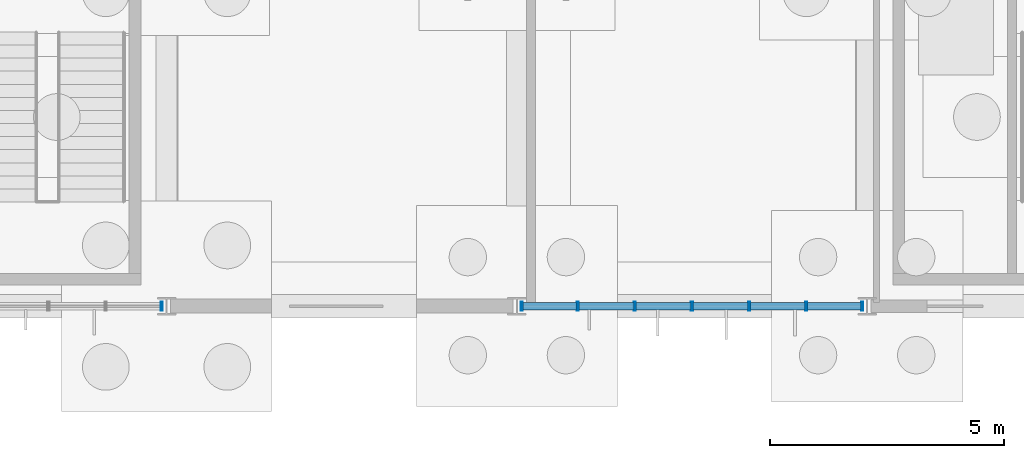
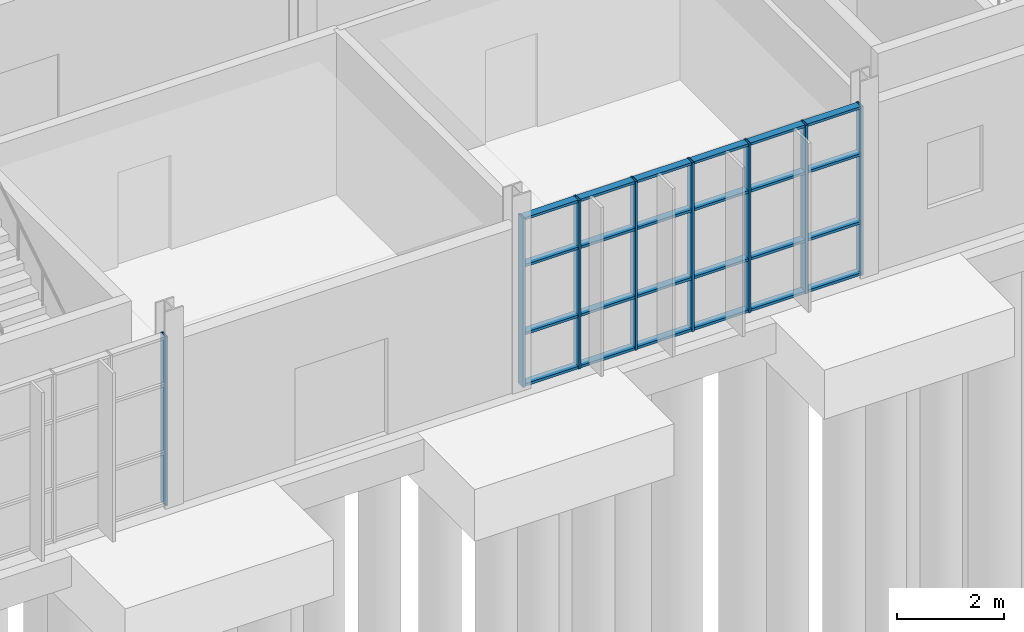
# One storey, part 29 of 136: 32 members, 2 elements without a shape of their own.
"""IFC4 building model written with IfcOpenShell, lengths in metres."""

import ifcopenshell
import ifcopenshell.guid

model = None  # the IFC model being written
_history = None  # IfcOwnerHistory: only IFC2X3 demands one
_inside = {}  # id of a spatial element -> (the spatial element, [elements in it])
_under = {}  # id of a project, library or spatial element -> (it, [spatial elements below it])
_declared = {}  # id of a project -> (the project, [libraries it declares])
_typed = {}  # id of a type object -> (the type object, [elements of that type])
_made_of = {}  # id of a material, layer set ... -> (it, [elements and type objects made of it])


def new_model(schema):
    """Start an empty IFC model of exactly this schema.

    Asked for "IFC4X3", IfcOpenShell would pick the latest addendum, in which some entities
    have other attributes; the version numbers below select the first issue.
    IFC2X3 requires an IfcOwnerHistory on every rooted entity: one is made here for all.
    """
    global model, _history
    if schema == "IFC4X3":
        model = ifcopenshell.file(schema_version=(4, 3, 0, 0))
    else:
        model = ifcopenshell.file(schema=schema)
    _inside.clear()
    _under.clear()
    _declared.clear()
    _typed.clear()
    _made_of.clear()
    _history = None
    if model.schema == "IFC2X3":
        org = make("IfcOrganization", Name="unknown")
        user = make(
            "IfcPersonAndOrganization",
            ThePerson=make("IfcPerson", FamilyName="unknown"),
            TheOrganization=org,
        )
        app = make(
            "IfcApplication",
            ApplicationDeveloper=org,
            Version="unknown",
            ApplicationFullName="unknown",
            ApplicationIdentifier="unknown",
        )
        _history = make(
            "IfcOwnerHistory",
            OwningUser=user,
            OwningApplication=app,
            ChangeAction="ADDED",
            CreationDate=0,
        )
    return model


def make(cls, **values):
    """One entity of the class cls with the attributes given. An attribute that is None is left unset."""
    return model.create_entity(
        cls, **{name: value for name, value in values.items() if value is not None}
    )


def rooted(cls, **values):
    """An entity with a GlobalId (a new one), such as an element, a storey or a relation."""
    return make(cls, GlobalId=ifcopenshell.guid.new(), OwnerHistory=_history, **values)


def si_unit(unit_type, name, prefix=None):
    """IfcSIUnit, for example si_unit("LENGTHUNIT", "METRE", prefix="MILLI")."""
    return make("IfcSIUnit", UnitType=unit_type, Prefix=prefix, Name=name)


def assignment(units):
    """IfcUnitAssignment: the units of a project."""
    return None if units is None else make("IfcUnitAssignment", Units=units)


def point(xyz):
    """IfcCartesianPoint."""
    return None if xyz is None else make("IfcCartesianPoint", Coordinates=xyz)


def direction(xyz):
    """IfcDirection."""
    return None if xyz is None else make("IfcDirection", DirectionRatios=xyz)


def frame(location, z_axis=None, x_axis=None):
    """IfcAxis2Placement3D, a coordinate frame: its origin and axes. An axis left out is left unset."""
    return make(
        "IfcAxis2Placement3D",
        Location=point(location),
        Axis=direction(z_axis),
        RefDirection=direction(x_axis),
    )


def frame_2d(location, x_axis=None):
    """IfcAxis2Placement2D, a coordinate frame in the plane: its origin and x axis."""
    return make(
        "IfcAxis2Placement2D", Location=point(location), RefDirection=direction(x_axis)
    )


def origin():
    """The frame at (0, 0, 0) with its axes left unset."""
    return frame((0.0, 0.0, 0.0))


def origin_2d():
    """The frame at (0, 0) in the plane with its x axis left unset."""
    return frame_2d((0.0, 0.0))


def place(relative_to, where):
    """IfcLocalPlacement: puts the frame where relative to a parent placement (None: the world)."""
    return make(
        "IfcLocalPlacement", PlacementRelTo=relative_to, RelativePlacement=where
    )


def context(
    kind, dimensions, precision=None, world=None, true_north=None, identifier=None
):
    """IfcGeometricRepresentationContext, for example the 3D "Model" context."""
    return make(
        "IfcGeometricRepresentationContext",
        ContextIdentifier=identifier,
        ContextType=kind,
        CoordinateSpaceDimension=dimensions,
        Precision=precision,
        WorldCoordinateSystem=world,
        TrueNorth=true_north,
    )


def subcontext(parent, identifier, kind, view, scale=None):
    """IfcGeometricRepresentationSubContext, for example "Body" below "Model"."""
    return make(
        "IfcGeometricRepresentationSubContext",
        ContextIdentifier=identifier,
        ContextType=kind,
        ParentContext=parent,
        TargetScale=scale,
        TargetView=view,
    )


def project(units=None, contexts=None):
    """IfcProject with its units and contexts."""
    return rooted(
        "IfcProject",
        Name="project",
        RepresentationContexts=contexts,
        UnitsInContext=assignment(units),
    )


def spatial(cls, under=None, at=None, **own):
    """A site, building, storey or space (cls), placed at a placement, below another one or the project."""
    s = rooted(cls, ObjectPlacement=at, **own)
    if under is not None:
        _under.setdefault(under.id(), (under, []))[1].append(s)
    return s


def profile(cls, at=None, kind="AREA", **sizes):
    """A parametric profile (cls). Its sizes go by their IFC names, for example OverallWidth=200.0."""
    return make(cls, ProfileType=kind, Position=at, **sizes)


def hollow_rectangle(**sizes):
    """IfcRectangleHollowProfileDef."""
    return profile("IfcRectangleHollowProfileDef", **sizes)


def extrude(swept, where, along, depth):
    """IfcExtrudedAreaSolid: the profile swept, set in the frame where, extruded along a direction by depth."""
    return make(
        "IfcExtrudedAreaSolid",
        SweptArea=swept,
        Position=where,
        ExtrudedDirection=direction(along),
        Depth=depth,
    )


def shape(context_of_items, identifier, shape_type, items):
    """IfcShapeRepresentation: the items that make up one representation, for example the "Body"."""
    return make(
        "IfcShapeRepresentation",
        ContextOfItems=context_of_items,
        RepresentationIdentifier=identifier,
        RepresentationType=shape_type,
        Items=items,
    )


def material(Name=None, Category=None):
    """IfcMaterial."""
    return make("IfcMaterial", Name=Name, Category=Category)


def layer(
    of_material, thickness, ventilated=None, Name=None, Category=None, Priority=None
):
    """IfcMaterialLayer: one layer of a wall or slab, of a material (None: an air gap)."""
    return make(
        "IfcMaterialLayer",
        Material=of_material,
        LayerThickness=thickness,
        IsVentilated=ventilated,
        Name=Name,
        Category=Category,
        Priority=Priority,
    )


def layer_set(layers, Name=None):
    """IfcMaterialLayerSet."""
    return make("IfcMaterialLayerSet", MaterialLayers=layers, LayerSetName=Name)


def material_profile(
    of_material, cross_section, Name=None, Category=None, Priority=None
):
    """IfcMaterialProfile: a cross section and its material."""
    return make(
        "IfcMaterialProfile",
        Name=Name,
        Material=of_material,
        Profile=cross_section,
        Priority=Priority,
        Category=Category,
    )


def profile_set(profiles, Name=None, composite=None):
    """IfcMaterialProfileSet."""
    return make(
        "IfcMaterialProfileSet",
        Name=Name,
        MaterialProfiles=profiles,
        CompositeProfile=composite,
    )


def made_of(thing, what):
    """Note that an element or type object is made of a material, layer set ...; save() writes the relation."""
    if what is not None:
        _made_of.setdefault(what.id(), (what, []))[1].append(thing)
    return thing


def type_object(cls, material=None, **own):
    """A type object (cls), such as IfcWallType, which elements share."""
    return made_of(rooted(cls, **own), material)


def element(
    cls,
    number,
    at=None,
    inside=None,
    cuts=None,
    type_object=None,
    material=None,
    context=None,
    identifier="Body",
    shape_type=None,
    held_by="IfcProductDefinitionShape",
    body=None,
    shapes=None,
    **own,
):
    """One element of the class cls, such as IfcWall. Its Tag is "e" and its number.

    at: its placement. inside: the storey or other place that contains it. cuts: it is an
    opening in that element (IfcRelVoidsElement). A single representation is given by context,
    identifier, shape_type and body (its items); several are given by shapes. held_by: the class
    of the entity that holds the representations. save() writes the other relations.
    """
    e = rooted(cls, Tag="e%d" % number, ObjectPlacement=at, **own)
    if body is not None:
        shapes = [shape(context, identifier, shape_type, body)]
    if shapes is not None:
        e.Representation = make(held_by, Representations=shapes)
    if inside is not None:
        _inside.setdefault(inside.id(), (inside, []))[1].append(e)
    if cuts is not None:
        rooted(
            "IfcRelVoidsElement", RelatingBuildingElement=cuts, RelatedOpeningElement=e
        )
    if type_object is not None:
        _typed.setdefault(type_object.id(), (type_object, []))[1].append(e)
    return made_of(e, material)


def aggregate(whole, parts):
    """IfcRelAggregates: a whole, such as a stair, and the parts it consists of."""
    return rooted("IfcRelAggregates", RelatingObject=whole, RelatedObjects=parts)


def save(model, path):
    """Write the relations noted so far, then the file.

    IfcRelAggregates (storeys below a building ...), IfcRelContainedInSpatialStructure (elements
    in a storey), IfcRelDefinesByType, IfcRelAssociatesMaterial and IfcRelDeclares: one each for
    every whole, place, type object, material and project.
    """
    for whole, parts in _under.values():
        aggregate(whole, parts)
    for where, things in _inside.values():
        rooted(
            "IfcRelContainedInSpatialStructure",
            RelatedElements=things,
            RelatingStructure=where,
        )
    for kind, things in _typed.values():
        rooted("IfcRelDefinesByType", RelatedObjects=things, RelatingType=kind)
    for what, things in _made_of.values():
        rooted("IfcRelAssociatesMaterial", RelatedObjects=things, RelatingMaterial=what)
    for by, libraries in _declared.values():
        rooted("IfcRelDeclares", RelatingContext=by, RelatedDefinitions=libraries)
    model.write(path)


model = new_model("IFC4")

# Units and contexts
model_context = context("Model", 3, precision=1e-05, world=origin(), true_north=direction((0.0, 1.0)))
body_context = subcontext(model_context, "Body", "Model", "MODEL_VIEW")
ifc_project = project(units=[si_unit("LENGTHUNIT", "METRE"), si_unit("AREAUNIT", "SQUARE_METRE"), si_unit("VOLUMEUNIT", "CUBIC_METRE"), si_unit("PLANEANGLEUNIT", "RADIAN"), si_unit("MASSUNIT", "GRAM", prefix="KILO")], contexts=[model_context])

# Site, building, storey
site_placement = place(None, origin())
site = spatial("IfcSite", under=ifc_project, at=site_placement, CompositionType="ELEMENT")
building_placement = place(site_placement, origin())
building = spatial("IfcBuilding", under=site, at=building_placement, Name="Solvenia Promenade Tram Depot", CompositionType="ELEMENT")
storey_placement = place(building_placement, origin())
storey = spatial("IfcBuildingStorey", under=building, at=storey_placement, Name="L00", CompositionType="ELEMENT", Elevation=0.0)

# Curtain wall, member
ifc_material = material(Name="Anodized aluminium AW-6063 T6", Category="aluminium")
ifc_layer = layer(ifc_material, 0.179931640625, Name="Anodized aluminium AW-6063 T6", Category="aluminium")
ifc_layer_set = layer_set([ifc_layer], Name="Anodized aluminium AW-6063 T6")
curtain_wall_type = type_object("IfcCurtainWallType", Name="CW-Solar-1250", PredefinedType="NOTDEFINED", material=ifc_layer_set)
curtain_wall_1_placement = place(storey_placement, origin())
curtain_wall_1 = element("IfcCurtainWall", 1, at=curtain_wall_1_placement, inside=storey, type_object=curtain_wall_type, Name="Curtain Wall CW-V4S-L00-01", PredefinedType="NOTDEFINED")
ifc_material_profile_1 = material_profile(ifc_material, hollow_rectangle(XDim=0.199951171875, YDim=0.048095703125, WallThickness=0.00390625, at=origin_2d()), Name="ALU-M3", Category="aluminium")
ifc_profile_set_1 = profile_set([ifc_material_profile_1], Name="Anodized aluminium AW-6063 T6")
member_type_1 = type_object("IfcMemberType", Name="CWM-Mullion-3", PredefinedType="MULLION", material=ifc_profile_set_1)
member_1_placement = place(storey_placement, frame((14.89599609375, 0.0, 0.0), z_axis=(0.0, 0.0, 1.0), x_axis=(0.0, 1.0, 0.0)))
member_1 = element("IfcMember", 2, at=member_1_placement, type_object=member_type_1, Name="CW-6 mullion 7", PredefinedType="MULLION", context=body_context, shape_type="SweptSolid", body=[
    extrude(hollow_rectangle(XDim=0.199951171875, YDim=0.048095703125, WallThickness=0.00390625, at=origin_2d()), origin(), (0.0, 0.0, 1.0), 3.85009765625),
])
aggregate(curtain_wall_1, [member_1])

# Curtain wall, members
curtain_wall_2_placement = place(storey_placement, origin())
curtain_wall_2 = element("IfcCurtainWall", 3, at=curtain_wall_2_placement, inside=storey, type_object=curtain_wall_type, Name="Curtain Wall CW-V4S-L00-03", PredefinedType="NOTDEFINED")
member_2_placement = place(storey_placement, frame((22.60400390625, 0.0, 0.0), z_axis=(0.0, 0.0, 1.0), x_axis=(0.0, 1.0, 0.0)))
member_2 = element("IfcMember", 4, at=member_2_placement, type_object=member_type_1, Name="CW-6 mullion 1", PredefinedType="MULLION", context=body_context, shape_type="SweptSolid", body=[
    extrude(hollow_rectangle(XDim=0.199951171875, YDim=0.048095703125, WallThickness=0.00390625, at=origin_2d()), origin(), (0.0, 0.0, 1.0), 3.85009765625),
])
member_3_placement = place(storey_placement, frame((23.80322265625, 0.0, 0.0), z_axis=(0.0, 0.0, 1.0), x_axis=(0.0, 1.0, 0.0)))
member_3 = element("IfcMember", 5, at=member_3_placement, type_object=member_type_1, Name="CW-6 mullion 2", PredefinedType="MULLION", context=body_context, shape_type="SweptSolid", body=[
    extrude(hollow_rectangle(XDim=0.199951171875, YDim=0.048095703125, WallThickness=0.00390625, at=origin_2d()), origin(), (0.0, 0.0, 1.0), 3.85009765625),
])
member_4_placement = place(storey_placement, frame((25.026611328125, 0.0, 0.0), z_axis=(0.0, 0.0, 1.0), x_axis=(0.0, 1.0, 0.0)))
member_4 = element("IfcMember", 6, at=member_4_placement, type_object=member_type_1, Name="CW-6 mullion 3", PredefinedType="MULLION", context=body_context, shape_type="SweptSolid", body=[
    extrude(hollow_rectangle(XDim=0.199951171875, YDim=0.048095703125, WallThickness=0.00390625, at=origin_2d()), origin(), (0.0, 0.0, 1.0), 3.85009765625),
])
member_5_placement = place(storey_placement, frame((26.25, 0.0, 0.0), z_axis=(0.0, 0.0, 1.0), x_axis=(0.0, 1.0, 0.0)))
member_5 = element("IfcMember", 7, at=member_5_placement, type_object=member_type_1, Name="CW-6 mullion 4", PredefinedType="MULLION", context=body_context, shape_type="SweptSolid", body=[
    extrude(hollow_rectangle(XDim=0.199951171875, YDim=0.048095703125, WallThickness=0.00390625, at=origin_2d()), origin(), (0.0, 0.0, 1.0), 3.85009765625),
])
member_6_placement = place(storey_placement, frame((27.473388671875, 0.0, 0.0), z_axis=(0.0, 0.0, 1.0), x_axis=(0.0, 1.0, 0.0)))
member_6 = element("IfcMember", 8, at=member_6_placement, type_object=member_type_1, Name="CW-6 mullion 5", PredefinedType="MULLION", context=body_context, shape_type="SweptSolid", body=[
    extrude(hollow_rectangle(XDim=0.199951171875, YDim=0.048095703125, WallThickness=0.00390625, at=origin_2d()), origin(), (0.0, 0.0, 1.0), 3.85009765625),
])
member_7_placement = place(storey_placement, frame((28.69677734375, 0.0, 0.0), z_axis=(0.0, 0.0, 1.0), x_axis=(0.0, 1.0, 0.0)))
member_7 = element("IfcMember", 9, at=member_7_placement, type_object=member_type_1, Name="CW-6 mullion 6", PredefinedType="MULLION", context=body_context, shape_type="SweptSolid", body=[
    extrude(hollow_rectangle(XDim=0.199951171875, YDim=0.048095703125, WallThickness=0.00390625, at=origin_2d()), origin(), (0.0, 0.0, 1.0), 3.85009765625),
])
member_8_placement = place(storey_placement, frame((29.89599609375, 0.0, 0.0), z_axis=(0.0, 0.0, 1.0), x_axis=(0.0, 1.0, 0.0)))
member_8 = element("IfcMember", 10, at=member_8_placement, type_object=member_type_1, Name="CW-6 mullion 7", PredefinedType="MULLION", context=body_context, shape_type="SweptSolid", body=[
    extrude(hollow_rectangle(XDim=0.199951171875, YDim=0.048095703125, WallThickness=0.00390625, at=origin_2d()), origin(), (0.0, 0.0, 1.0), 3.85009765625),
])
ifc_material_profile_2 = material_profile(ifc_material, hollow_rectangle(XDim=0.159912109375, YDim=0.05810546875, WallThickness=0.00390625, at=origin_2d()), Name="ALU-T3", Category="aluminium")
ifc_profile_set_2 = profile_set([ifc_material_profile_2], Name="Anodized aluminium AW-6063 T6")
member_type_2 = type_object("IfcMemberType", Name="CWT-Transom-3", PredefinedType="USERDEFINED", material=ifc_profile_set_2)
member_9_placement = place(storey_placement, frame((22.6279296875, 0.0, 0.029052734375), z_axis=(1.0, 0.0, 0.0), x_axis=(0.0, 1.0, 0.0)))
member_9 = element("IfcMember", 11, at=member_9_placement, type_object=member_type_2, Name="CW-6 transom 1.1", ObjectType="TRANSOM", PredefinedType="USERDEFINED", context=body_context, shape_type="SweptSolid", body=[
    extrude(hollow_rectangle(XDim=0.159912109375, YDim=0.05810546875, WallThickness=0.00390625, at=origin_2d()), origin(), (0.0, 0.0, 1.0), 1.1513671875),
])
member_10_placement = place(storey_placement, frame((22.6279296875, 0.0, 1.199951171875), z_axis=(1.0, 0.0, 0.0), x_axis=(0.0, 1.0, 0.0)))
member_10 = element("IfcMember", 12, at=member_10_placement, type_object=member_type_2, Name="CW-6 transom 1.2", ObjectType="TRANSOM", PredefinedType="USERDEFINED", context=body_context, shape_type="SweptSolid", body=[
    extrude(hollow_rectangle(XDim=0.159912109375, YDim=0.05810546875, WallThickness=0.00390625, at=origin_2d()), origin(), (0.0, 0.0, 1.0), 1.1513671875),
])
member_11_placement = place(storey_placement, frame((22.6279296875, 0.0, 2.75), z_axis=(1.0, 0.0, 0.0), x_axis=(0.0, 1.0, 0.0)))
member_11 = element("IfcMember", 13, at=member_11_placement, type_object=member_type_2, Name="CW-6 transom 1.3", ObjectType="TRANSOM", PredefinedType="USERDEFINED", context=body_context, shape_type="SweptSolid", body=[
    extrude(hollow_rectangle(XDim=0.159912109375, YDim=0.05810546875, WallThickness=0.00390625, at=origin_2d()), origin(), (0.0, 0.0, 1.0), 1.1513671875),
])
member_12_placement = place(storey_placement, frame((22.6279296875, 0.0, 3.821044921875), z_axis=(1.0, 0.0, 0.0), x_axis=(0.0, 1.0, 0.0)))
member_12 = element("IfcMember", 14, at=member_12_placement, type_object=member_type_2, Name="CW-6 transom 1.4", ObjectType="TRANSOM", PredefinedType="USERDEFINED", context=body_context, shape_type="SweptSolid", body=[
    extrude(hollow_rectangle(XDim=0.159912109375, YDim=0.05810546875, WallThickness=0.00390625, at=origin_2d()), origin(), (0.0, 0.0, 1.0), 1.1513671875),
])
member_13_placement = place(storey_placement, frame((23.827392578125, 0.0, 0.029052734375), z_axis=(1.0, 0.0, 0.0), x_axis=(0.0, 1.0, 0.0)))
member_13 = element("IfcMember", 15, at=member_13_placement, type_object=member_type_2, Name="CW-6 transom 2.1", ObjectType="TRANSOM", PredefinedType="USERDEFINED", context=body_context, shape_type="SweptSolid", body=[
    extrude(hollow_rectangle(XDim=0.159912109375, YDim=0.05810546875, WallThickness=0.00390625, at=origin_2d()), origin(), (0.0, 0.0, 1.0), 1.17529296875),
])
member_14_placement = place(storey_placement, frame((23.827392578125, 0.0, 1.199951171875), z_axis=(1.0, 0.0, 0.0), x_axis=(0.0, 1.0, 0.0)))
member_14 = element("IfcMember", 16, at=member_14_placement, type_object=member_type_2, Name="CW-6 transom 2.2", ObjectType="TRANSOM", PredefinedType="USERDEFINED", context=body_context, shape_type="SweptSolid", body=[
    extrude(hollow_rectangle(XDim=0.159912109375, YDim=0.05810546875, WallThickness=0.00390625, at=origin_2d()), origin(), (0.0, 0.0, 1.0), 1.17529296875),
])
member_15_placement = place(storey_placement, frame((23.827392578125, 0.0, 2.75), z_axis=(1.0, 0.0, 0.0), x_axis=(0.0, 1.0, 0.0)))
member_15 = element("IfcMember", 17, at=member_15_placement, type_object=member_type_2, Name="CW-6 transom 2.3", ObjectType="TRANSOM", PredefinedType="USERDEFINED", context=body_context, shape_type="SweptSolid", body=[
    extrude(hollow_rectangle(XDim=0.159912109375, YDim=0.05810546875, WallThickness=0.00390625, at=origin_2d()), origin(), (0.0, 0.0, 1.0), 1.17529296875),
])
member_16_placement = place(storey_placement, frame((23.827392578125, 0.0, 3.821044921875), z_axis=(1.0, 0.0, 0.0), x_axis=(0.0, 1.0, 0.0)))
member_16 = element("IfcMember", 18, at=member_16_placement, type_object=member_type_2, Name="CW-6 transom 2.4", ObjectType="TRANSOM", PredefinedType="USERDEFINED", context=body_context, shape_type="SweptSolid", body=[
    extrude(hollow_rectangle(XDim=0.159912109375, YDim=0.05810546875, WallThickness=0.00390625, at=origin_2d()), origin(), (0.0, 0.0, 1.0), 1.17529296875),
])
member_17_placement = place(storey_placement, frame((25.05078125, 0.0, 0.029052734375), z_axis=(1.0, 0.0, 0.0), x_axis=(0.0, 1.0, 0.0)))
member_17 = element("IfcMember", 19, at=member_17_placement, type_object=member_type_2, Name="CW-6 transom 3.1", ObjectType="TRANSOM", PredefinedType="USERDEFINED", context=body_context, shape_type="SweptSolid", body=[
    extrude(hollow_rectangle(XDim=0.159912109375, YDim=0.05810546875, WallThickness=0.00390625, at=origin_2d()), origin(), (0.0, 0.0, 1.0), 1.17529296875),
])
member_18_placement = place(storey_placement, frame((25.05078125, 0.0, 1.199951171875), z_axis=(1.0, 0.0, 0.0), x_axis=(0.0, 1.0, 0.0)))
member_18 = element("IfcMember", 20, at=member_18_placement, type_object=member_type_2, Name="CW-6 transom 3.2", ObjectType="TRANSOM", PredefinedType="USERDEFINED", context=body_context, shape_type="SweptSolid", body=[
    extrude(hollow_rectangle(XDim=0.159912109375, YDim=0.05810546875, WallThickness=0.00390625, at=origin_2d()), origin(), (0.0, 0.0, 1.0), 1.17529296875),
])
member_19_placement = place(storey_placement, frame((25.05078125, 0.0, 2.75), z_axis=(1.0, 0.0, 0.0), x_axis=(0.0, 1.0, 0.0)))
member_19 = element("IfcMember", 21, at=member_19_placement, type_object=member_type_2, Name="CW-6 transom 3.3", ObjectType="TRANSOM", PredefinedType="USERDEFINED", context=body_context, shape_type="SweptSolid", body=[
    extrude(hollow_rectangle(XDim=0.159912109375, YDim=0.05810546875, WallThickness=0.00390625, at=origin_2d()), origin(), (0.0, 0.0, 1.0), 1.17529296875),
])
member_20_placement = place(storey_placement, frame((25.05078125, 0.0, 3.821044921875), z_axis=(1.0, 0.0, 0.0), x_axis=(0.0, 1.0, 0.0)))
member_20 = element("IfcMember", 22, at=member_20_placement, type_object=member_type_2, Name="CW-6 transom 3.4", ObjectType="TRANSOM", PredefinedType="USERDEFINED", context=body_context, shape_type="SweptSolid", body=[
    extrude(hollow_rectangle(XDim=0.159912109375, YDim=0.05810546875, WallThickness=0.00390625, at=origin_2d()), origin(), (0.0, 0.0, 1.0), 1.17529296875),
])
member_21_placement = place(storey_placement, frame((26.27392578125, 0.0, 0.029052734375), z_axis=(1.0, 0.0, 0.0), x_axis=(0.0, 1.0, 0.0)))
member_21 = element("IfcMember", 23, at=member_21_placement, type_object=member_type_2, Name="CW-6 transom 4.1", ObjectType="TRANSOM", PredefinedType="USERDEFINED", context=body_context, shape_type="SweptSolid", body=[
    extrude(hollow_rectangle(XDim=0.159912109375, YDim=0.05810546875, WallThickness=0.00390625, at=origin_2d()), origin(), (0.0, 0.0, 1.0), 1.17529296875),
])
member_22_placement = place(storey_placement, frame((26.27392578125, 0.0, 1.199951171875), z_axis=(1.0, 0.0, 0.0), x_axis=(0.0, 1.0, 0.0)))
member_22 = element("IfcMember", 24, at=member_22_placement, type_object=member_type_2, Name="CW-6 transom 4.2", ObjectType="TRANSOM", PredefinedType="USERDEFINED", context=body_context, shape_type="SweptSolid", body=[
    extrude(hollow_rectangle(XDim=0.159912109375, YDim=0.05810546875, WallThickness=0.00390625, at=origin_2d()), origin(), (0.0, 0.0, 1.0), 1.17529296875),
])
member_23_placement = place(storey_placement, frame((26.27392578125, 0.0, 2.75), z_axis=(1.0, 0.0, 0.0), x_axis=(0.0, 1.0, 0.0)))
member_23 = element("IfcMember", 25, at=member_23_placement, type_object=member_type_2, Name="CW-6 transom 4.3", ObjectType="TRANSOM", PredefinedType="USERDEFINED", context=body_context, shape_type="SweptSolid", body=[
    extrude(hollow_rectangle(XDim=0.159912109375, YDim=0.05810546875, WallThickness=0.00390625, at=origin_2d()), origin(), (0.0, 0.0, 1.0), 1.17529296875),
])
member_24_placement = place(storey_placement, frame((26.27392578125, 0.0, 3.821044921875), z_axis=(1.0, 0.0, 0.0), x_axis=(0.0, 1.0, 0.0)))
member_24 = element("IfcMember", 26, at=member_24_placement, type_object=member_type_2, Name="CW-6 transom 4.4", ObjectType="TRANSOM", PredefinedType="USERDEFINED", context=body_context, shape_type="SweptSolid", body=[
    extrude(hollow_rectangle(XDim=0.159912109375, YDim=0.05810546875, WallThickness=0.00390625, at=origin_2d()), origin(), (0.0, 0.0, 1.0), 1.17529296875),
])
member_25_placement = place(storey_placement, frame((27.497314453125, 0.0, 0.029052734375), z_axis=(1.0, 0.0, 0.0), x_axis=(0.0, 1.0, 0.0)))
member_25 = element("IfcMember", 27, at=member_25_placement, type_object=member_type_2, Name="CW-6 transom 5.1", ObjectType="TRANSOM", PredefinedType="USERDEFINED", context=body_context, shape_type="SweptSolid", body=[
    extrude(hollow_rectangle(XDim=0.159912109375, YDim=0.05810546875, WallThickness=0.00390625, at=origin_2d()), origin(), (0.0, 0.0, 1.0), 1.17529296875),
])
member_26_placement = place(storey_placement, frame((27.497314453125, 0.0, 1.199951171875), z_axis=(1.0, 0.0, 0.0), x_axis=(0.0, 1.0, 0.0)))
member_26 = element("IfcMember", 28, at=member_26_placement, type_object=member_type_2, Name="CW-6 transom 5.2", ObjectType="TRANSOM", PredefinedType="USERDEFINED", context=body_context, shape_type="SweptSolid", body=[
    extrude(hollow_rectangle(XDim=0.159912109375, YDim=0.05810546875, WallThickness=0.00390625, at=origin_2d()), origin(), (0.0, 0.0, 1.0), 1.17529296875),
])
member_27_placement = place(storey_placement, frame((27.497314453125, 0.0, 2.75), z_axis=(1.0, 0.0, 0.0), x_axis=(0.0, 1.0, 0.0)))
member_27 = element("IfcMember", 29, at=member_27_placement, type_object=member_type_2, Name="CW-6 transom 5.3", ObjectType="TRANSOM", PredefinedType="USERDEFINED", context=body_context, shape_type="SweptSolid", body=[
    extrude(hollow_rectangle(XDim=0.159912109375, YDim=0.05810546875, WallThickness=0.00390625, at=origin_2d()), origin(), (0.0, 0.0, 1.0), 1.17529296875),
])
member_28_placement = place(storey_placement, frame((27.497314453125, 0.0, 3.821044921875), z_axis=(1.0, 0.0, 0.0), x_axis=(0.0, 1.0, 0.0)))
member_28 = element("IfcMember", 30, at=member_28_placement, type_object=member_type_2, Name="CW-6 transom 5.4", ObjectType="TRANSOM", PredefinedType="USERDEFINED", context=body_context, shape_type="SweptSolid", body=[
    extrude(hollow_rectangle(XDim=0.159912109375, YDim=0.05810546875, WallThickness=0.00390625, at=origin_2d()), origin(), (0.0, 0.0, 1.0), 1.17529296875),
])
member_29_placement = place(storey_placement, frame((28.720703125, 0.0, 0.029052734375), z_axis=(1.0, 0.0, 0.0), x_axis=(0.0, 1.0, 0.0)))
member_29 = element("IfcMember", 31, at=member_29_placement, type_object=member_type_2, Name="CW-6 transom 6.1", ObjectType="TRANSOM", PredefinedType="USERDEFINED", context=body_context, shape_type="SweptSolid", body=[
    extrude(hollow_rectangle(XDim=0.159912109375, YDim=0.05810546875, WallThickness=0.00390625, at=origin_2d()), origin(), (0.0, 0.0, 1.0), 1.1513671875),
])
member_30_placement = place(storey_placement, frame((28.720703125, 0.0, 1.199951171875), z_axis=(1.0, 0.0, 0.0), x_axis=(0.0, 1.0, 0.0)))
member_30 = element("IfcMember", 32, at=member_30_placement, type_object=member_type_2, Name="CW-6 transom 6.2", ObjectType="TRANSOM", PredefinedType="USERDEFINED", context=body_context, shape_type="SweptSolid", body=[
    extrude(hollow_rectangle(XDim=0.159912109375, YDim=0.05810546875, WallThickness=0.00390625, at=origin_2d()), origin(), (0.0, 0.0, 1.0), 1.1513671875),
])
member_31_placement = place(storey_placement, frame((28.720703125, 0.0, 2.75), z_axis=(1.0, 0.0, 0.0), x_axis=(0.0, 1.0, 0.0)))
member_31 = element("IfcMember", 33, at=member_31_placement, type_object=member_type_2, Name="CW-6 transom 6.3", ObjectType="TRANSOM", PredefinedType="USERDEFINED", context=body_context, shape_type="SweptSolid", body=[
    extrude(hollow_rectangle(XDim=0.159912109375, YDim=0.05810546875, WallThickness=0.00390625, at=origin_2d()), origin(), (0.0, 0.0, 1.0), 1.1513671875),
])
member_32_placement = place(storey_placement, frame((28.720703125, 0.0, 3.821044921875), z_axis=(1.0, 0.0, 0.0), x_axis=(0.0, 1.0, 0.0)))
member_32 = element("IfcMember", 34, at=member_32_placement, type_object=member_type_2, Name="CW-6 transom 6.4", ObjectType="TRANSOM", PredefinedType="USERDEFINED", context=body_context, shape_type="SweptSolid", body=[
    extrude(hollow_rectangle(XDim=0.159912109375, YDim=0.05810546875, WallThickness=0.00390625, at=origin_2d()), origin(), (0.0, 0.0, 1.0), 1.1513671875),
])
aggregate(curtain_wall_2, [member_2, member_3, member_4, member_5, member_6, member_7, member_8, member_9, member_10, member_11, member_12, member_13, member_14, member_15, member_16, member_17, member_18, member_19, member_20, member_21, member_22, member_23, member_24, member_25, member_26, member_27, member_28, member_29, member_30, member_31, member_32])

save(model, "model.ifc")
